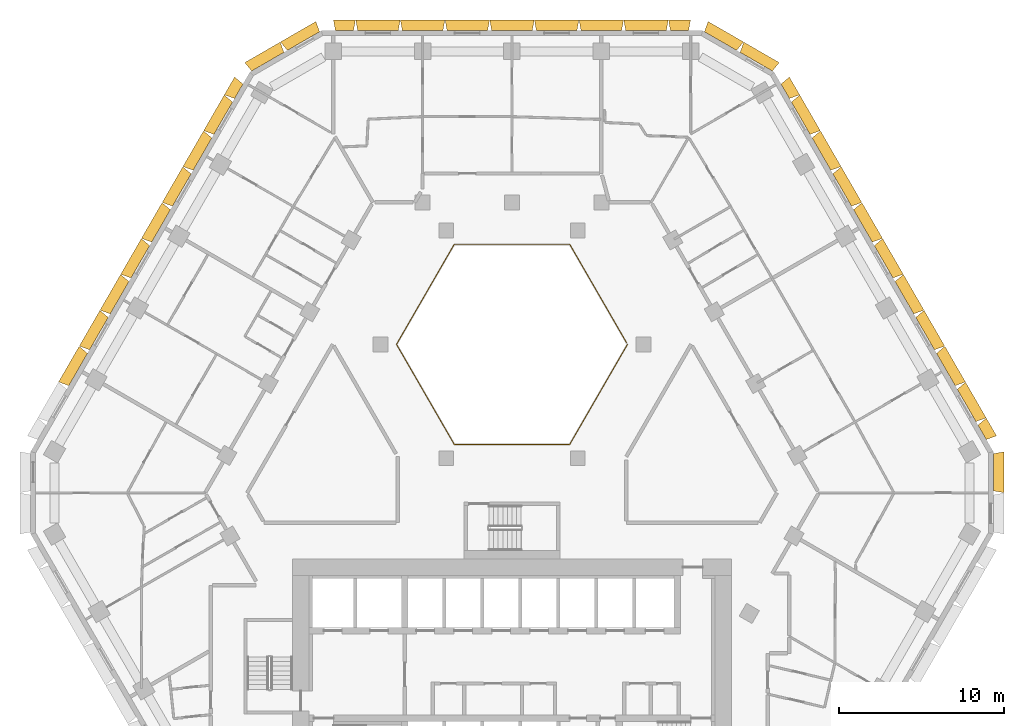
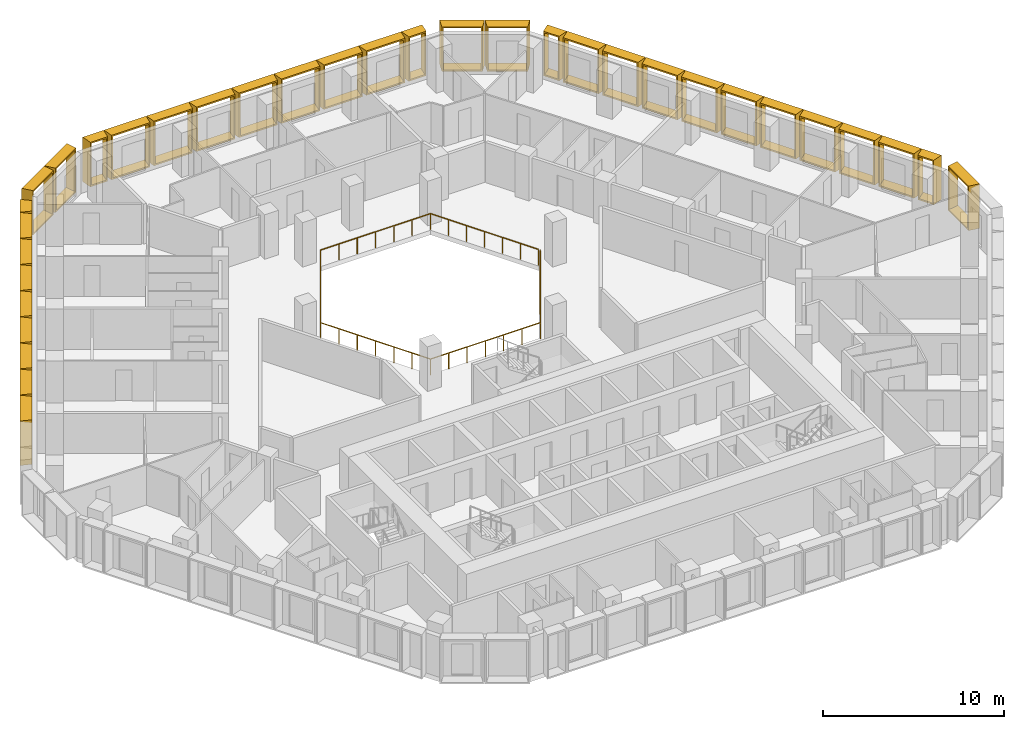
# One storey, part 16 of 16: 34 shading devices, 1 railing.
"""IFC4 building model written with IfcOpenShell, lengths in metres."""

import ifcopenshell
import ifcopenshell.guid

model = None  # the IFC model being written
_history = None  # IfcOwnerHistory: only IFC2X3 demands one
_inside = {}  # id of a spatial element -> (the spatial element, [elements in it])
_under = {}  # id of a project, library or spatial element -> (it, [spatial elements below it])
_declared = {}  # id of a project -> (the project, [libraries it declares])
_typed = {}  # id of a type object -> (the type object, [elements of that type])
_made_of = {}  # id of a material, layer set ... -> (it, [elements and type objects made of it])


def new_model(schema):
    """Start an empty IFC model of exactly this schema.

    Asked for "IFC4X3", IfcOpenShell would pick the latest addendum, in which some entities
    have other attributes; the version numbers below select the first issue.
    IFC2X3 requires an IfcOwnerHistory on every rooted entity: one is made here for all.
    """
    global model, _history
    if schema == "IFC4X3":
        model = ifcopenshell.file(schema_version=(4, 3, 0, 0))
    else:
        model = ifcopenshell.file(schema=schema)
    _inside.clear()
    _under.clear()
    _declared.clear()
    _typed.clear()
    _made_of.clear()
    _history = None
    if model.schema == "IFC2X3":
        org = make("IfcOrganization", Name="unknown")
        user = make(
            "IfcPersonAndOrganization",
            ThePerson=make("IfcPerson", FamilyName="unknown"),
            TheOrganization=org,
        )
        app = make(
            "IfcApplication",
            ApplicationDeveloper=org,
            Version="unknown",
            ApplicationFullName="unknown",
            ApplicationIdentifier="unknown",
        )
        _history = make(
            "IfcOwnerHistory",
            OwningUser=user,
            OwningApplication=app,
            ChangeAction="ADDED",
            CreationDate=0,
        )
    return model


def make(cls, **values):
    """One entity of the class cls with the attributes given. An attribute that is None is left unset."""
    return model.create_entity(
        cls, **{name: value for name, value in values.items() if value is not None}
    )


def entity(cls, *values):
    """Any entity or typed value of the class cls, its attributes in the order of the schema. None: left unset."""
    e = model.create_entity(cls)
    for i, value in enumerate(values):
        if value is not None:
            e[i] = value
    return e


def rooted(cls, **values):
    """An entity with a GlobalId (a new one), such as an element, a storey or a relation."""
    return make(cls, GlobalId=ifcopenshell.guid.new(), OwnerHistory=_history, **values)


def si_unit(unit_type, name, prefix=None):
    """IfcSIUnit, for example si_unit("LENGTHUNIT", "METRE", prefix="MILLI")."""
    return make("IfcSIUnit", UnitType=unit_type, Prefix=prefix, Name=name)


def assignment(units):
    """IfcUnitAssignment: the units of a project."""
    return None if units is None else make("IfcUnitAssignment", Units=units)


def point(xyz):
    """IfcCartesianPoint."""
    return None if xyz is None else make("IfcCartesianPoint", Coordinates=xyz)


def direction(xyz):
    """IfcDirection."""
    return None if xyz is None else make("IfcDirection", DirectionRatios=xyz)


def frame(location, z_axis=None, x_axis=None):
    """IfcAxis2Placement3D, a coordinate frame: its origin and axes. An axis left out is left unset."""
    return make(
        "IfcAxis2Placement3D",
        Location=point(location),
        Axis=direction(z_axis),
        RefDirection=direction(x_axis),
    )


def frame_2d(location, x_axis=None):
    """IfcAxis2Placement2D, a coordinate frame in the plane: its origin and x axis."""
    return make(
        "IfcAxis2Placement2D", Location=point(location), RefDirection=direction(x_axis)
    )


def origin():
    """The frame at (0, 0, 0) with its axes left unset."""
    return frame((0.0, 0.0, 0.0))


def origin_2d():
    """The frame at (0, 0) in the plane with its x axis left unset."""
    return frame_2d((0.0, 0.0))


def place(relative_to, where):
    """IfcLocalPlacement: puts the frame where relative to a parent placement (None: the world)."""
    return make(
        "IfcLocalPlacement", PlacementRelTo=relative_to, RelativePlacement=where
    )


def context(
    kind, dimensions, precision=None, world=None, true_north=None, identifier=None
):
    """IfcGeometricRepresentationContext, for example the 3D "Model" context."""
    return make(
        "IfcGeometricRepresentationContext",
        ContextIdentifier=identifier,
        ContextType=kind,
        CoordinateSpaceDimension=dimensions,
        Precision=precision,
        WorldCoordinateSystem=world,
        TrueNorth=true_north,
    )


def subcontext(parent, identifier, kind, view, scale=None):
    """IfcGeometricRepresentationSubContext, for example "Body" below "Model"."""
    return make(
        "IfcGeometricRepresentationSubContext",
        ContextIdentifier=identifier,
        ContextType=kind,
        ParentContext=parent,
        TargetScale=scale,
        TargetView=view,
    )


def project(units=None, contexts=None):
    """IfcProject with its units and contexts."""
    return rooted(
        "IfcProject",
        Name="project",
        RepresentationContexts=contexts,
        UnitsInContext=assignment(units),
    )


def spatial(cls, under=None, at=None, **own):
    """A site, building, storey or space (cls), placed at a placement, below another one or the project."""
    s = rooted(cls, ObjectPlacement=at, **own)
    if under is not None:
        _under.setdefault(under.id(), (under, []))[1].append(s)
    return s


def profile(cls, at=None, kind="AREA", **sizes):
    """A parametric profile (cls). Its sizes go by their IFC names, for example OverallWidth=200.0."""
    return make(cls, ProfileType=kind, Position=at, **sizes)


def rectangle(**sizes):
    """IfcRectangleProfileDef."""
    return profile("IfcRectangleProfileDef", **sizes)


def extrude(swept, where, along, depth):
    """IfcExtrudedAreaSolid: the profile swept, set in the frame where, extruded along a direction by depth."""
    return make(
        "IfcExtrudedAreaSolid",
        SweptArea=swept,
        Position=where,
        ExtrudedDirection=direction(along),
        Depth=depth,
    )


def shape(context_of_items, identifier, shape_type, items):
    """IfcShapeRepresentation: the items that make up one representation, for example the "Body"."""
    return make(
        "IfcShapeRepresentation",
        ContextOfItems=context_of_items,
        RepresentationIdentifier=identifier,
        RepresentationType=shape_type,
        Items=items,
    )


def source(mapping_origin, context_of_items, identifier, shape_type, items):
    """IfcRepresentationMap: a shape defined once, which mapped items show again and again."""
    return make(
        "IfcRepresentationMap",
        MappingOrigin=mapping_origin,
        MappedRepresentation=shape(context_of_items, identifier, shape_type, items),
    )


def transform(
    local_origin,
    x_axis=None,
    y_axis=None,
    z_axis=None,
    scale=None,
    scale2=None,
    scale3=None,
    uniform=True,
):
    """IfcCartesianTransformationOperator3D, or its non-uniform kind. x_axis, y_axis, z_axis: its Axis1, 2, 3."""
    if uniform:
        return make(
            "IfcCartesianTransformationOperator3D",
            Axis1=direction(x_axis),
            Axis2=direction(y_axis),
            LocalOrigin=point(local_origin),
            Scale=scale,
            Axis3=direction(z_axis),
        )
    return make(
        "IfcCartesianTransformationOperator3DnonUniform",
        Axis1=direction(x_axis),
        Axis2=direction(y_axis),
        LocalOrigin=point(local_origin),
        Scale=scale,
        Axis3=direction(z_axis),
        Scale2=scale2,
        Scale3=scale3,
    )


def mapped(mapping_source, mapping_target):
    """IfcMappedItem: shows the shape of a source again, moved by a transform."""
    return make(
        "IfcMappedItem", MappingSource=mapping_source, MappingTarget=mapping_target
    )


def material(Name=None, Category=None):
    """IfcMaterial."""
    return make("IfcMaterial", Name=Name, Category=Category)


def made_of(thing, what):
    """Note that an element or type object is made of a material, layer set ...; save() writes the relation."""
    if what is not None:
        _made_of.setdefault(what.id(), (what, []))[1].append(thing)
    return thing


def type_object(cls, material=None, **own):
    """A type object (cls), such as IfcWallType, which elements share."""
    return made_of(rooted(cls, **own), material)


def type_shapes(of_type, sources):
    """Give a type object the sources (RepresentationMaps) that its elements show as mapped items."""
    of_type.RepresentationMaps = sources


def element(
    cls,
    number,
    at=None,
    inside=None,
    cuts=None,
    type_object=None,
    material=None,
    context=None,
    identifier="Body",
    shape_type=None,
    held_by="IfcProductDefinitionShape",
    body=None,
    shapes=None,
    **own,
):
    """One element of the class cls, such as IfcWall. Its Tag is "e" and its number.

    at: its placement. inside: the storey or other place that contains it. cuts: it is an
    opening in that element (IfcRelVoidsElement). A single representation is given by context,
    identifier, shape_type and body (its items); several are given by shapes. held_by: the class
    of the entity that holds the representations. save() writes the other relations.
    """
    e = rooted(cls, Tag="e%d" % number, ObjectPlacement=at, **own)
    if body is not None:
        shapes = [shape(context, identifier, shape_type, body)]
    if shapes is not None:
        e.Representation = make(held_by, Representations=shapes)
    if inside is not None:
        _inside.setdefault(inside.id(), (inside, []))[1].append(e)
    if cuts is not None:
        rooted(
            "IfcRelVoidsElement", RelatingBuildingElement=cuts, RelatedOpeningElement=e
        )
    if type_object is not None:
        _typed.setdefault(type_object.id(), (type_object, []))[1].append(e)
    return made_of(e, material)


def aggregate(whole, parts):
    """IfcRelAggregates: a whole, such as a stair, and the parts it consists of."""
    return rooted("IfcRelAggregates", RelatingObject=whole, RelatedObjects=parts)


def save(model, path):
    """Write the relations noted so far, then the file.

    IfcRelAggregates (storeys below a building ...), IfcRelContainedInSpatialStructure (elements
    in a storey), IfcRelDefinesByType, IfcRelAssociatesMaterial and IfcRelDeclares: one each for
    every whole, place, type object, material and project.
    """
    for whole, parts in _under.values():
        aggregate(whole, parts)
    for where, things in _inside.values():
        rooted(
            "IfcRelContainedInSpatialStructure",
            RelatedElements=things,
            RelatingStructure=where,
        )
    for kind, things in _typed.values():
        rooted("IfcRelDefinesByType", RelatedObjects=things, RelatingType=kind)
    for what, things in _made_of.values():
        rooted("IfcRelAssociatesMaterial", RelatedObjects=things, RelatingMaterial=what)
    for by, libraries in _declared.values():
        rooted("IfcRelDeclares", RelatingContext=by, RelatedDefinitions=libraries)
    model.write(path)


model = new_model("IFC4")

# Units and contexts
model_context = context("Model", 3, precision=1e-05, world=origin(), true_north=direction((0.0, 1.0)))
body_context = subcontext(model_context, "Body", "Model", "MODEL_VIEW")
ifc_project = project(units=[si_unit("LENGTHUNIT", "METRE"), si_unit("AREAUNIT", "SQUARE_METRE"), si_unit("VOLUMEUNIT", "CUBIC_METRE"), si_unit("PLANEANGLEUNIT", "RADIAN"), si_unit("MASSUNIT", "GRAM", prefix="KILO")], contexts=[model_context])

# Site, building, storey
site_placement = place(None, origin())
site = spatial("IfcSite", under=ifc_project, at=site_placement, CompositionType="ELEMENT")
building_placement = place(site_placement, origin())
building = spatial("IfcBuilding", under=site, at=building_placement, Name="Beryl Residences", CompositionType="ELEMENT")
storey_placement = place(building_placement, frame((0.0, 0.0, 96.0)))
storey = spatial("IfcBuildingStorey", under=building, at=storey_placement, Name="L29", CompositionType="ELEMENT", Elevation=96.0)

# Railing
ifc_material_1 = material(Name="Stainless steel balustrade with glass infill", Category="steel")
railing_type = type_object("IfcRailingType", Name="EG1 edge guard 1100 mm", PredefinedType="GUARDRAIL", material=ifc_material_1)
railing_placement = place(storey_placement, frame((6.9970703125, 8.0, 0.0)))
element("IfcRailing", 1, at=railing_placement, inside=storey, type_object=railing_type, Name="L29 atrium guard", PredefinedType="GUARDRAIL", context=body_context, shape_type="SweptSolid", body=[
    extrude(rectangle(XDim=0.048095703125, YDim=0.048095703125, at=origin_2d()), frame((0.0, 0.0, 1.076171875), z_axis=(-0.499921796684, -0.866070549782, 0.0), x_axis=(0.866070549782, -0.499921796684, 0.0)), (0.0, 0.0, 1.0), 6.9970703125),
    extrude(rectangle(XDim=0.048095703125, YDim=0.048095703125, at=origin_2d()), frame((-3.498046875, -6.06005859375, 1.076171875), z_axis=(-1.0, 0.0, 0.0), x_axis=(0.0, -1.0, 0.0)), (0.0, 0.0, 1.0), 6.998046875),
    extrude(rectangle(XDim=0.048095703125, YDim=0.048095703125, at=origin_2d()), frame((-10.49609375, -6.06005859375, 1.076171875), z_axis=(-0.499921796684, 0.866070549782, 0.0), x_axis=(-0.866070549782, -0.499921796684, 0.0)), (0.0, 0.0, 1.0), 6.9970703125),
    extrude(rectangle(XDim=0.048095703125, YDim=0.048095703125, at=origin_2d()), frame((-13.994140625, 0.0, 1.076171875), z_axis=(0.499921796684, 0.866070549782, 0.0), x_axis=(-0.866070549782, 0.499921796684, 0.0)), (0.0, 0.0, 1.0), 6.9970703125),
    extrude(rectangle(XDim=0.048095703125, YDim=0.048095703125, at=origin_2d()), frame((-10.49609375, 6.06005859375, 1.076171875), z_axis=(1.0, 0.0, 0.0), x_axis=(0.0, 1.0, 0.0)), (0.0, 0.0, 1.0), 6.998046875),
    extrude(rectangle(XDim=0.048095703125, YDim=0.048095703125, at=origin_2d()), frame((-3.498046875, 6.06005859375, 1.076171875), z_axis=(0.499919131929, -0.866072087953, 0.0), x_axis=(0.866072087953, 0.499919131929, 0.0)), (0.0, 0.0, 1.0), 6.877197265625),
    extrude(rectangle(XDim=0.0419921875, YDim=0.0419921875, at=origin_2d()), origin(), (0.0, 0.0, 1.0), 1.052001953125),
    extrude(rectangle(XDim=0.0419921875, YDim=0.0419921875, at=origin_2d()), frame((-0.5830078125, -1.010009765625, 0.0)), (0.0, 0.0, 1.0), 1.052001953125),
    extrude(rectangle(XDim=0.0419921875, YDim=0.0419921875, at=origin_2d()), frame((-1.166015625, -2.02001953125, 0.0)), (0.0, 0.0, 1.0), 1.052001953125),
    extrude(rectangle(XDim=0.0419921875, YDim=0.0419921875, at=origin_2d()), frame((-1.7490234375, -3.030029296875, 0.0)), (0.0, 0.0, 1.0), 1.052001953125),
    extrude(rectangle(XDim=0.0419921875, YDim=0.0419921875, at=origin_2d()), frame((-2.33203125, -4.0400390625, 0.0)), (0.0, 0.0, 1.0), 1.052001953125),
    extrude(rectangle(XDim=0.0419921875, YDim=0.0419921875, at=origin_2d()), frame((-2.9150390625, -5.050048828125, 0.0)), (0.0, 0.0, 1.0), 1.052001953125),
    extrude(rectangle(XDim=0.0419921875, YDim=0.0419921875, at=origin_2d()), frame((-3.498046875, -6.06005859375, 0.0)), (0.0, 0.0, 1.0), 1.052001953125),
    extrude(rectangle(XDim=0.0419921875, YDim=0.0419921875, at=origin_2d()), frame((-4.664306640625, -6.06005859375, 0.0)), (0.0, 0.0, 1.0), 1.052001953125),
    extrude(rectangle(XDim=0.0419921875, YDim=0.0419921875, at=origin_2d()), frame((-5.830810546875, -6.06005859375, 0.0)), (0.0, 0.0, 1.0), 1.052001953125),
    extrude(rectangle(XDim=0.0419921875, YDim=0.0419921875, at=origin_2d()), frame((-6.9970703125, -6.06005859375, 0.0)), (0.0, 0.0, 1.0), 1.052001953125),
    extrude(rectangle(XDim=0.0419921875, YDim=0.0419921875, at=origin_2d()), frame((-8.163330078125, -6.06005859375, 0.0)), (0.0, 0.0, 1.0), 1.052001953125),
    extrude(rectangle(XDim=0.0419921875, YDim=0.0419921875, at=origin_2d()), frame((-9.329833984375, -6.06005859375, 0.0)), (0.0, 0.0, 1.0), 1.052001953125),
    extrude(rectangle(XDim=0.0419921875, YDim=0.0419921875, at=origin_2d()), frame((-10.49609375, -6.06005859375, 0.0)), (0.0, 0.0, 1.0), 1.052001953125),
    extrude(rectangle(XDim=0.0419921875, YDim=0.0419921875, at=origin_2d()), frame((-11.0791015625, -5.050048828125, 0.0)), (0.0, 0.0, 1.0), 1.052001953125),
    extrude(rectangle(XDim=0.0419921875, YDim=0.0419921875, at=origin_2d()), frame((-11.662109375, -4.0400390625, 0.0)), (0.0, 0.0, 1.0), 1.052001953125),
    extrude(rectangle(XDim=0.0419921875, YDim=0.0419921875, at=origin_2d()), frame((-12.2451171875, -3.030029296875, 0.0)), (0.0, 0.0, 1.0), 1.052001953125),
    extrude(rectangle(XDim=0.0419921875, YDim=0.0419921875, at=origin_2d()), frame((-12.828125, -2.02001953125, 0.0)), (0.0, 0.0, 1.0), 1.052001953125),
    extrude(rectangle(XDim=0.0419921875, YDim=0.0419921875, at=origin_2d()), frame((-13.4111328125, -1.010009765625, 0.0)), (0.0, 0.0, 1.0), 1.052001953125),
    extrude(rectangle(XDim=0.0419921875, YDim=0.0419921875, at=origin_2d()), frame((-13.994140625, 0.0, 0.0)), (0.0, 0.0, 1.0), 1.052001953125),
    extrude(rectangle(XDim=0.0419921875, YDim=0.0419921875, at=origin_2d()), frame((-13.4111328125, 1.010009765625, 0.0)), (0.0, 0.0, 1.0), 1.052001953125),
    extrude(rectangle(XDim=0.0419921875, YDim=0.0419921875, at=origin_2d()), frame((-12.828125, 2.02001953125, 0.0)), (0.0, 0.0, 1.0), 1.052001953125),
    extrude(rectangle(XDim=0.0419921875, YDim=0.0419921875, at=origin_2d()), frame((-12.2451171875, 3.030029296875, 0.0)), (0.0, 0.0, 1.0), 1.052001953125),
    extrude(rectangle(XDim=0.0419921875, YDim=0.0419921875, at=origin_2d()), frame((-11.662109375, 4.0400390625, 0.0)), (0.0, 0.0, 1.0), 1.052001953125),
    extrude(rectangle(XDim=0.0419921875, YDim=0.0419921875, at=origin_2d()), frame((-11.0791015625, 5.050048828125, 0.0)), (0.0, 0.0, 1.0), 1.052001953125),
    extrude(rectangle(XDim=0.0419921875, YDim=0.0419921875, at=origin_2d()), frame((-10.49609375, 6.06005859375, 0.0)), (0.0, 0.0, 1.0), 1.052001953125),
    extrude(rectangle(XDim=0.0419921875, YDim=0.0419921875, at=origin_2d()), frame((-9.329833984375, 6.06005859375, 0.0)), (0.0, 0.0, 1.0), 1.052001953125),
    extrude(rectangle(XDim=0.0419921875, YDim=0.0419921875, at=origin_2d()), frame((-8.163330078125, 6.06005859375, 0.0)), (0.0, 0.0, 1.0), 1.052001953125),
    extrude(rectangle(XDim=0.0419921875, YDim=0.0419921875, at=origin_2d()), frame((-6.9970703125, 6.06005859375, 0.0)), (0.0, 0.0, 1.0), 1.052001953125),
    extrude(rectangle(XDim=0.0419921875, YDim=0.0419921875, at=origin_2d()), frame((-5.830810546875, 6.06005859375, 0.0)), (0.0, 0.0, 1.0), 1.052001953125),
    extrude(rectangle(XDim=0.0419921875, YDim=0.0419921875, at=origin_2d()), frame((-4.664306640625, 6.06005859375, 0.0)), (0.0, 0.0, 1.0), 1.052001953125),
    extrude(rectangle(XDim=0.0419921875, YDim=0.0419921875, at=origin_2d()), frame((-3.498046875, 6.06005859375, 0.0)), (0.0, 0.0, 1.0), 1.052001953125),
    extrude(rectangle(XDim=0.0419921875, YDim=0.0419921875, at=origin_2d()), frame((-2.925048828125, 5.0673828125, 0.0)), (0.0, 0.0, 1.0), 1.052001953125),
    extrude(rectangle(XDim=0.0419921875, YDim=0.0419921875, at=origin_2d()), frame((-2.35205078125, 4.07470703125, 0.0)), (0.0, 0.0, 1.0), 1.052001953125),
    extrude(rectangle(XDim=0.0419921875, YDim=0.0419921875, at=origin_2d()), frame((-1.779052734375, 3.08203125, 0.0)), (0.0, 0.0, 1.0), 1.052001953125),
    extrude(rectangle(XDim=0.0419921875, YDim=0.0419921875, at=origin_2d()), frame((-1.2060546875, 2.08935546875, 0.0)), (0.0, 0.0, 1.0), 1.052001953125),
    extrude(rectangle(XDim=0.0419921875, YDim=0.0419921875, at=origin_2d()), frame((-0.633056640625, 1.0966796875, 0.0)), (0.0, 0.0, 1.0), 1.052001953125),
    extrude(rectangle(XDim=0.0419921875, YDim=0.0419921875, at=origin_2d()), frame((-0.06005859375, 0.10400390625, 0.0)), (0.0, 0.0, 1.0), 1.052001953125),
])

# Shading devices
ifc_material_2 = material(Name="Aluminium pale anodised", Category="aluminium")
shading_device_type_1 = type_object("IfcShadingDeviceType", Name="FR126-65A OUTER SKIN frame 650 mm deep, splay 10/10 deg, 1260 x 3000 mm cell", PredefinedType="USERDEFINED", material=ifc_material_2)
cartesian_point_1 = entity("IfcCartesianPoint", [-0.5048828125, 0.0])
cartesian_point_2 = entity("IfcCartesianPoint", [-0.423828125, 0.10009765625])
cartesian_point_3 = entity("IfcCartesianPoint", [-0.61962890625, 0.0])
cartesian_point_4 = entity("IfcCartesianPoint", [-0.538330078125, 0.10009765625])
shared_shape_1 = source(origin(), body_context, "Body", "SweptSolid", [
    entity("IfcExtrudedAreaSolidTapered", entity("IfcArbitraryProfileDefWithVoids", "AREA", None, entity("IfcPolyline", [cartesian_point_1, entity("IfcCartesianPoint", [0.5048828125, 0.0]), entity("IfcCartesianPoint", [0.5048828125, 3.0]), entity("IfcCartesianPoint", [-0.5048828125, 3.0]), cartesian_point_1]), [entity("IfcPolyline", [cartesian_point_2, entity("IfcCartesianPoint", [0.423828125, 0.10009765625]), entity("IfcCartesianPoint", [0.423828125, 2.89990234375]), entity("IfcCartesianPoint", [-0.423828125, 2.89990234375]), cartesian_point_2])]), entity("IfcAxis2Placement3D", entity("IfcCartesianPoint", [0.0, 0.0, 0.0]), entity("IfcDirection", [0.0, 1.0, 0.0]), entity("IfcDirection", [-1.0, 0.0, 0.0])), entity("IfcDirection", [0.0, 0.0, 1.0]), 0.64990234375, entity("IfcArbitraryProfileDefWithVoids", "AREA", None, entity("IfcPolyline", [cartesian_point_3, entity("IfcCartesianPoint", [0.61962890625, 0.0]), entity("IfcCartesianPoint", [0.61962890625, 3.0]), entity("IfcCartesianPoint", [-0.61962890625, 3.0]), cartesian_point_3]), [entity("IfcPolyline", [cartesian_point_4, entity("IfcCartesianPoint", [0.538330078125, 0.10009765625]), entity("IfcCartesianPoint", [0.538330078125, 2.89990234375]), entity("IfcCartesianPoint", [-0.538330078125, 2.89990234375]), cartesian_point_4])])),
])
type_shapes(shading_device_type_1, [shared_shape_1])
for number, where, z_axis, x_axis, name in (
    (2, (-16.552001953125, 23.33203125, 0.0), (0.0, 0.0, 1.0), (0.5, 0.866025403784, 0.0), "FR126-65A frame L29 NW 1"),
    (3, (28.48193359375, 2.66796875, 0.0), (0.0, 0.0, 1.0), (0.5, -0.866025403784, 0.0), "FR126-65A frame L29 NE 1"),
    (4, (16.552001953125, 23.3310546875, 0.0), (0.0, 0.0, 1.0), (0.5, -0.866025403784, 0.0), "FR126-65A frame L29 NE 11"),
):
    element("IfcShadingDevice", number, at=place(storey_placement, frame(where, z_axis=z_axis, x_axis=x_axis)), inside=storey, type_object=shading_device_type_1, Name=name, ObjectType="OUTER SKIN", PredefinedType="USERDEFINED", context=body_context, shape_type="MappedRepresentation", body=[
        mapped(shared_shape_1, transform((0.0, 0.0, 0.0))),
    ])
ifc_material_3 = material(Name="Aluminium pale anodised", Category="aluminium")
shading_device_type_2 = type_object("IfcShadingDeviceType", Name="FR135-65A OUTER SKIN frame 650 mm deep, splay 10/10 deg, 1350 x 3000 mm cell", PredefinedType="USERDEFINED", material=ifc_material_3)
cartesian_point_5 = entity("IfcCartesianPoint", [-0.550048828125, 0.0])
cartesian_point_6 = entity("IfcCartesianPoint", [-0.46875, 0.10009765625])
cartesian_point_7 = entity("IfcCartesianPoint", [-0.66455078125, 0.0])
cartesian_point_8 = entity("IfcCartesianPoint", [-0.58349609375, 0.10009765625])
shared_shape_2 = source(origin(), body_context, "Body", "SweptSolid", [
    entity("IfcExtrudedAreaSolidTapered", entity("IfcArbitraryProfileDefWithVoids", "AREA", None, entity("IfcPolyline", [cartesian_point_5, entity("IfcCartesianPoint", [0.550048828125, 0.0]), entity("IfcCartesianPoint", [0.550048828125, 3.0]), entity("IfcCartesianPoint", [-0.550048828125, 3.0]), cartesian_point_5]), [entity("IfcPolyline", [cartesian_point_6, entity("IfcCartesianPoint", [0.46875, 0.10009765625]), entity("IfcCartesianPoint", [0.46875, 2.89990234375]), entity("IfcCartesianPoint", [-0.46875, 2.89990234375]), cartesian_point_6])]), entity("IfcAxis2Placement3D", entity("IfcCartesianPoint", [0.0, 0.0, 0.0]), entity("IfcDirection", [0.0, 1.0, 0.0]), entity("IfcDirection", [-1.0, 0.0, 0.0])), entity("IfcDirection", [0.0, 0.0, 1.0]), 0.64990234375, entity("IfcArbitraryProfileDefWithVoids", "AREA", None, entity("IfcPolyline", [cartesian_point_7, entity("IfcCartesianPoint", [0.66455078125, 0.0]), entity("IfcCartesianPoint", [0.66455078125, 3.0]), entity("IfcCartesianPoint", [-0.66455078125, 3.0]), cartesian_point_7]), [entity("IfcPolyline", [cartesian_point_8, entity("IfcCartesianPoint", [0.58349609375, 0.10009765625]), entity("IfcCartesianPoint", [0.58349609375, 2.89990234375]), entity("IfcCartesianPoint", [-0.58349609375, 2.89990234375]), cartesian_point_8])])),
])
type_shapes(shading_device_type_2, [shared_shape_2])
for number, where, z_axis, x_axis, name in (
    (5, (10.14794921875, 27.0, 0.0), (0.0, 0.0, 1.0), (1.0, 0.0, 0.0), "FR135-65A frame L29 N 1"),
    (6, (-10.14990234375, 27.0, 0.0), (0.0, 0.0, 1.0), (1.0, 0.0, 0.0), "FR135-65A frame L29 N 9"),
):
    element("IfcShadingDevice", number, at=place(storey_placement, frame(where, z_axis=z_axis, x_axis=x_axis)), inside=storey, type_object=shading_device_type_2, Name=name, ObjectType="OUTER SKIN", PredefinedType="USERDEFINED", context=body_context, shape_type="MappedRepresentation", body=[
        mapped(shared_shape_2, transform((0.0, 0.0, 0.0))),
    ])
ifc_material_4 = material(Name="Aluminium pale anodised", Category="aluminium")
shading_device_type_3 = type_object("IfcShadingDeviceType", Name="FR250-65A OUTER SKIN frame 650 mm deep, splay 10/10 deg, 2500 x 3000 mm cell", PredefinedType="USERDEFINED", material=ifc_material_4)
cartesian_point_9 = entity("IfcCartesianPoint", [-1.125, 0.0])
cartesian_point_10 = entity("IfcCartesianPoint", [-1.043701171875, 0.10009765625])
cartesian_point_11 = entity("IfcCartesianPoint", [-1.239501953125, 0.0])
cartesian_point_12 = entity("IfcCartesianPoint", [-1.158447265625, 0.10009765625])
shared_shape_3 = source(origin(), body_context, "Body", "SweptSolid", [
    entity("IfcExtrudedAreaSolidTapered", entity("IfcArbitraryProfileDefWithVoids", "AREA", None, entity("IfcPolyline", [cartesian_point_9, entity("IfcCartesianPoint", [1.125, 0.0]), entity("IfcCartesianPoint", [1.125, 3.0]), entity("IfcCartesianPoint", [-1.125, 3.0]), cartesian_point_9]), [entity("IfcPolyline", [cartesian_point_10, entity("IfcCartesianPoint", [1.043701171875, 0.10009765625]), entity("IfcCartesianPoint", [1.043701171875, 2.89990234375]), entity("IfcCartesianPoint", [-1.043701171875, 2.89990234375]), cartesian_point_10])]), entity("IfcAxis2Placement3D", entity("IfcCartesianPoint", [0.0, 0.0, 0.0]), entity("IfcDirection", [0.0, 1.0, 0.0]), entity("IfcDirection", [-1.0, 0.0, 0.0])), entity("IfcDirection", [0.0, 0.0, 1.0]), 0.64990234375, entity("IfcArbitraryProfileDefWithVoids", "AREA", None, entity("IfcPolyline", [cartesian_point_11, entity("IfcCartesianPoint", [1.239501953125, 0.0]), entity("IfcCartesianPoint", [1.239501953125, 3.0]), entity("IfcCartesianPoint", [-1.239501953125, 3.0]), cartesian_point_11]), [entity("IfcPolyline", [cartesian_point_12, entity("IfcCartesianPoint", [1.158447265625, 0.10009765625]), entity("IfcCartesianPoint", [1.158447265625, 2.89990234375]), entity("IfcCartesianPoint", [-1.158447265625, 2.89990234375]), cartesian_point_12])])),
])
type_shapes(shading_device_type_3, [shared_shape_3])
for number, where, z_axis, x_axis, name in (
    (7, (-12.6298828125, 26.375, 0.0), (0.0, 0.0, 1.0), (0.866025403784, 0.5, 0.0), "FR250-65A frame L29 N-NW 1"),
    (8, (-14.7939453125, 25.125, 0.0), (0.0, 0.0, 1.0), (0.866025403784, 0.5, 0.0), "FR250-65A frame L29 N-NW 2"),
    (9, (29.156982421875, 0.25, 0.0), (0.0, 0.0, 1.0), (0.0, -1.0, 0.0), "FR250-65A frame L29 SE-NE 2"),
    (10, (14.7939453125, 25.125, 0.0), (0.0, 0.0, 1.0), (0.866025403784, -0.5, 0.0), "FR250-65A frame L29 NE-N 1"),
    (11, (12.6298828125, 26.375, 0.0), (0.0, 0.0, 1.0), (0.866025403784, -0.5, 0.0), "FR250-65A frame L29 NE-N 2"),
):
    element("IfcShadingDevice", number, at=place(storey_placement, frame(where, z_axis=z_axis, x_axis=x_axis)), inside=storey, type_object=shading_device_type_3, Name=name, ObjectType="OUTER SKIN", PredefinedType="USERDEFINED", context=body_context, shape_type="MappedRepresentation", body=[
        mapped(shared_shape_3, transform((0.0, 0.0, 0.0))),
    ])
ifc_material_5 = material(Name="Aluminium pale anodised", Category="aluminium")
shading_device_type_4 = type_object("IfcShadingDeviceType", Name="FR251-65A OUTER SKIN frame 650 mm deep, splay 10/10 deg, 2510 x 3000 mm cell", PredefinedType="USERDEFINED", material=ifc_material_5)
cartesian_point_13 = entity("IfcCartesianPoint", [-1.1298828125, 0.0])
cartesian_point_14 = entity("IfcCartesianPoint", [-1.048828125, 0.10009765625])
cartesian_point_15 = entity("IfcCartesianPoint", [-1.24462890625, 0.0])
cartesian_point_16 = entity("IfcCartesianPoint", [-1.163330078125, 0.10009765625])
shared_shape_4 = source(origin(), body_context, "Body", "SweptSolid", [
    entity("IfcExtrudedAreaSolidTapered", entity("IfcArbitraryProfileDefWithVoids", "AREA", None, entity("IfcPolyline", [cartesian_point_13, entity("IfcCartesianPoint", [1.1298828125, 0.0]), entity("IfcCartesianPoint", [1.1298828125, 3.0]), entity("IfcCartesianPoint", [-1.1298828125, 3.0]), cartesian_point_13]), [entity("IfcPolyline", [cartesian_point_14, entity("IfcCartesianPoint", [1.048828125, 0.10009765625]), entity("IfcCartesianPoint", [1.048828125, 2.89990234375]), entity("IfcCartesianPoint", [-1.048828125, 2.89990234375]), cartesian_point_14])]), entity("IfcAxis2Placement3D", entity("IfcCartesianPoint", [0.0, 0.0, 0.0]), entity("IfcDirection", [0.0, 1.0, 0.0]), entity("IfcDirection", [-1.0, 0.0, 0.0])), entity("IfcDirection", [0.0, 0.0, 1.0]), 0.64990234375, entity("IfcArbitraryProfileDefWithVoids", "AREA", None, entity("IfcPolyline", [cartesian_point_15, entity("IfcCartesianPoint", [1.24462890625, 0.0]), entity("IfcCartesianPoint", [1.24462890625, 3.0]), entity("IfcCartesianPoint", [-1.24462890625, 3.0]), cartesian_point_15]), [entity("IfcPolyline", [cartesian_point_16, entity("IfcCartesianPoint", [1.163330078125, 0.10009765625]), entity("IfcCartesianPoint", [1.163330078125, 2.89990234375]), entity("IfcCartesianPoint", [-1.163330078125, 2.89990234375]), cartesian_point_16])])),
])
type_shapes(shading_device_type_4, [shared_shape_4])
for number, where, z_axis, x_axis, name in (
    (12, (-17.493896484375, 21.699951171875, 0.0), (0.0, 0.0, 1.0), (0.5, 0.866025403784, 0.0), "FR251-65A frame L29 NW 2"),
    (13, (-18.7490234375, 19.52490234375, 0.0), (0.0, 0.0, 1.0), (0.5, 0.866025403784, 0.0), "FR251-65A frame L29 NW 3"),
    (14, (-20.0048828125, 17.35009765625, 0.0), (0.0, 0.0, 1.0), (0.5, 0.866025403784, 0.0), "FR251-65A frame L29 NW 4"),
    (15, (-21.260986328125, 15.175048828125, 0.0), (0.0, 0.0, 1.0), (0.5, 0.866025403784, 0.0), "FR251-65A frame L29 NW 5"),
    (16, (-22.51708984375, 13.0, 0.0), (0.0, 0.0, 1.0), (0.5, 0.866025403784, 0.0), "FR251-65A frame L29 NW 6"),
    (17, (-23.77294921875, 10.824951171875, 0.0), (0.0, 0.0, 1.0), (0.5, 0.866025403784, 0.0), "FR251-65A frame L29 NW 7"),
    (18, (-25.028076171875, 8.64990234375, 0.0), (0.0, 0.0, 1.0), (0.5, 0.866025403784, 0.0), "FR251-65A frame L29 NW 8"),
    (19, (-26.283935546875, 6.47509765625, 0.0), (0.0, 0.0, 1.0), (0.5, 0.866025403784, 0.0), "FR251-65A frame L29 NW 9"),
    (20, (27.5400390625, 4.300048828125, 0.0), (0.0, 0.0, 1.0), (0.5, -0.866025403784, 0.0), "FR251-65A frame L29 NE 2"),
    (21, (26.284912109375, 6.47509765625, 0.0), (0.0, 0.0, 1.0), (0.5, -0.866025403784, 0.0), "FR251-65A frame L29 NE 3"),
    (22, (25.029052734375, 8.64990234375, 0.0), (0.0, 0.0, 1.0), (0.5, -0.866025403784, 0.0), "FR251-65A frame L29 NE 4"),
    (23, (23.77294921875, 10.824951171875, 0.0), (0.0, 0.0, 1.0), (0.5, -0.866025403784, 0.0), "FR251-65A frame L29 NE 5"),
    (24, (22.51708984375, 13.0, 0.0), (0.0, 0.0, 1.0), (0.5, -0.866025403784, 0.0), "FR251-65A frame L29 NE 6"),
    (25, (21.260986328125, 15.175048828125, 0.0), (0.0, 0.0, 1.0), (0.5, -0.866025403784, 0.0), "FR251-65A frame L29 NE 7"),
    (26, (20.006103515625, 17.35009765625, 0.0), (0.0, 0.0, 1.0), (0.5, -0.866025403784, 0.0), "FR251-65A frame L29 NE 8"),
    (27, (18.75, 19.52490234375, 0.0), (0.0, 0.0, 1.0), (0.5, -0.866025403784, 0.0), "FR251-65A frame L29 NE 9"),
    (28, (17.493896484375, 21.699951171875, 0.0), (0.0, 0.0, 1.0), (0.5, -0.866025403784, 0.0), "FR251-65A frame L29 NE 10"),
):
    element("IfcShadingDevice", number, at=place(storey_placement, frame(where, z_axis=z_axis, x_axis=x_axis)), inside=storey, type_object=shading_device_type_4, Name=name, ObjectType="OUTER SKIN", PredefinedType="USERDEFINED", context=body_context, shape_type="MappedRepresentation", body=[
        mapped(shared_shape_4, transform((0.0, 0.0, 0.0))),
    ])
ifc_material_6 = material(Name="Aluminium pale anodised", Category="aluminium")
shading_device_type_5 = type_object("IfcShadingDeviceType", Name="FR271-65A OUTER SKIN frame 650 mm deep, splay 10/10 deg, 2710 x 3000 mm cell", PredefinedType="USERDEFINED", material=ifc_material_6)
cartesian_point_17 = entity("IfcCartesianPoint", [-1.22998046875, 0.0])
cartesian_point_18 = entity("IfcCartesianPoint", [-1.148681640625, 0.10009765625])
cartesian_point_19 = entity("IfcCartesianPoint", [-1.3447265625, 0.0])
cartesian_point_20 = entity("IfcCartesianPoint", [-1.263427734375, 0.10009765625])
shared_shape_5 = source(origin(), body_context, "Body", "SweptSolid", [
    entity("IfcExtrudedAreaSolidTapered", entity("IfcArbitraryProfileDefWithVoids", "AREA", None, entity("IfcPolyline", [cartesian_point_17, entity("IfcCartesianPoint", [1.22998046875, 0.0]), entity("IfcCartesianPoint", [1.22998046875, 3.0]), entity("IfcCartesianPoint", [-1.22998046875, 3.0]), cartesian_point_17]), [entity("IfcPolyline", [cartesian_point_18, entity("IfcCartesianPoint", [1.148681640625, 0.10009765625]), entity("IfcCartesianPoint", [1.148681640625, 2.89990234375]), entity("IfcCartesianPoint", [-1.148681640625, 2.89990234375]), cartesian_point_18])]), entity("IfcAxis2Placement3D", entity("IfcCartesianPoint", [0.0, 0.0, 0.0]), entity("IfcDirection", [0.0, 1.0, 0.0]), entity("IfcDirection", [-1.0, 0.0, 0.0])), entity("IfcDirection", [0.0, 0.0, 1.0]), 0.64990234375, entity("IfcArbitraryProfileDefWithVoids", "AREA", None, entity("IfcPolyline", [cartesian_point_19, entity("IfcCartesianPoint", [1.3447265625, 0.0]), entity("IfcCartesianPoint", [1.3447265625, 3.0]), entity("IfcCartesianPoint", [-1.3447265625, 3.0]), cartesian_point_19]), [entity("IfcPolyline", [cartesian_point_20, entity("IfcCartesianPoint", [1.263427734375, 0.10009765625]), entity("IfcCartesianPoint", [1.263427734375, 2.89990234375]), entity("IfcCartesianPoint", [-1.263427734375, 2.89990234375]), cartesian_point_20])])),
])
type_shapes(shading_device_type_5, [shared_shape_5])
for number, where, z_axis, x_axis, name in (
    (29, (8.118896484375, 27.0, 0.0), (0.0, 0.0, 1.0), (1.0, 0.0, 0.0), "FR271-65A frame L29 N 2"),
    (30, (5.412109375, 27.0, 0.0), (0.0, 0.0, 1.0), (1.0, 0.0, 0.0), "FR271-65A frame L29 N 3"),
    (31, (2.705078125, 27.0, 0.0), (0.0, 0.0, 1.0), (1.0, 0.0, 0.0), "FR271-65A frame L29 N 4"),
    (32, (-0.0009765625, 27.0, 0.0), (0.0, 0.0, 1.0), (1.0, 0.0, 0.0), "FR271-65A frame L29 N 5"),
    (33, (-2.70703125, 27.0, 0.0), (0.0, 0.0, 1.0), (1.0, 0.0, 0.0), "FR271-65A frame L29 N 6"),
    (34, (-5.4140625, 27.0, 0.0), (0.0, 0.0, 1.0), (1.0, 0.0, 0.0), "FR271-65A frame L29 N 7"),
    (35, (-8.1201171875, 27.0, 0.0), (0.0, 0.0, 1.0), (1.0, 0.0, 0.0), "FR271-65A frame L29 N 8"),
):
    element("IfcShadingDevice", number, at=place(storey_placement, frame(where, z_axis=z_axis, x_axis=x_axis)), inside=storey, type_object=shading_device_type_5, Name=name, ObjectType="OUTER SKIN", PredefinedType="USERDEFINED", context=body_context, shape_type="MappedRepresentation", body=[
        mapped(shared_shape_5, transform((0.0, 0.0, 0.0))),
    ])

save(model, "model.ifc")
